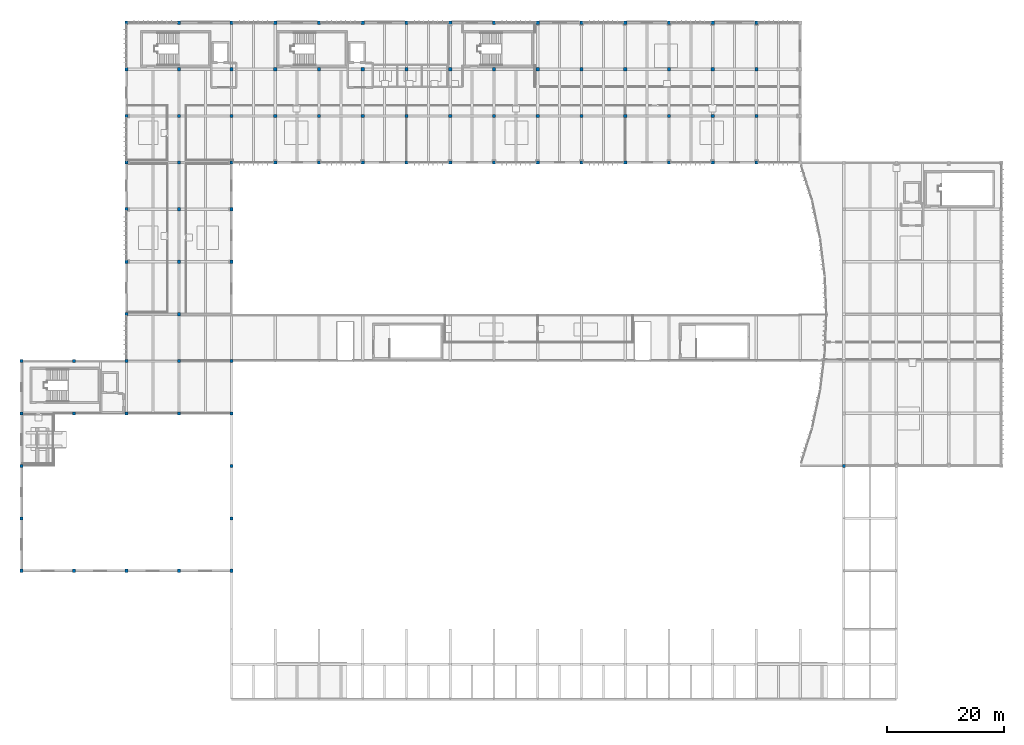
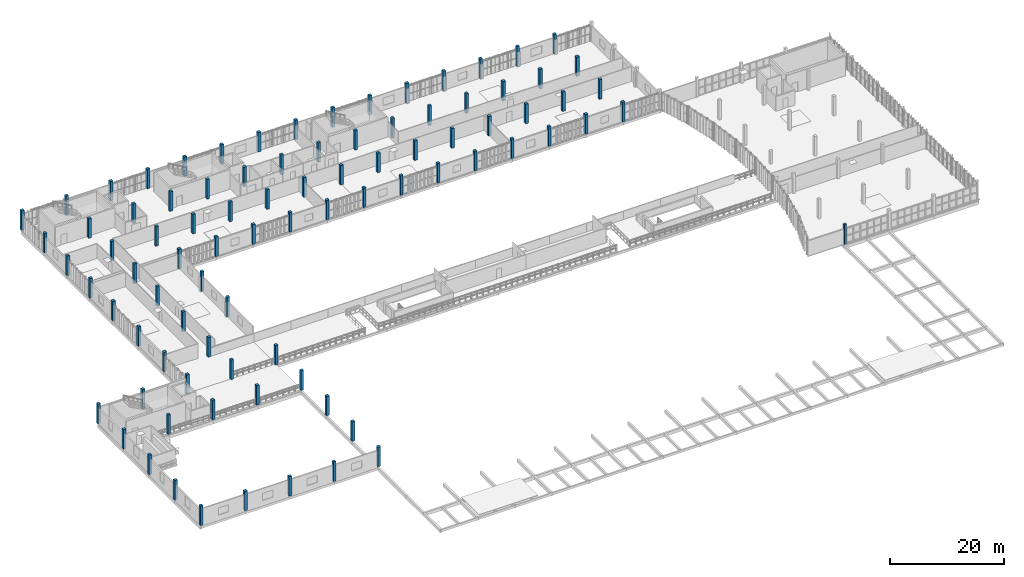
# One storey, part 1 of 61: 88 columns.
"""IFC4 building model written with IfcOpenShell, lengths in metres."""

from ifc_helpers import new_model, si_unit, direction, frame, origin, origin_2d, place, context, subcontext, project, spatial, rectangle, extrude, material, material_profile, profile_set, type_object, element, save


model = new_model("IFC4")

# Units and contexts
model_context = context("Model", 3, precision=1e-05, world=origin(), true_north=direction((0.0, 1.0)))
body_context = subcontext(model_context, "Body", "Model", "MODEL_VIEW")
ifc_project = project(units=[si_unit("LENGTHUNIT", "METRE"), si_unit("AREAUNIT", "SQUARE_METRE"), si_unit("VOLUMEUNIT", "CUBIC_METRE"), si_unit("PLANEANGLEUNIT", "RADIAN"), si_unit("MASSUNIT", "GRAM", prefix="KILO")], contexts=[model_context])

# Site, building, storey
site_placement = place(None, origin())
site = spatial("IfcSite", under=ifc_project, at=site_placement, CompositionType="ELEMENT")
building_placement = place(site_placement, origin())
building = spatial("IfcBuilding", under=site, at=building_placement, Name="Vourika Railside Aquatics Centre", CompositionType="ELEMENT")
storey_placement = place(building_placement, frame((0.0, 0.0, 9.300048828125)))
storey = spatial("IfcBuildingStorey", under=building, at=storey_placement, Name="L02", CompositionType="ELEMENT", Elevation=9.300048828125)

# Columns
ifc_material = material(Name="Concrete C35/45", Category="concrete")
ifc_material_profile_1 = material_profile(ifc_material, rectangle(XDim=0.5, YDim=0.5, at=origin_2d()), Name="RC 500x500")
ifc_profile_set_1 = profile_set([ifc_material_profile_1], Name="Concrete C35/45")
column_type_1 = type_object("IfcColumnType", Name="COL-RC500", PredefinedType="COLUMN", material=ifc_profile_set_1)
column_placement = place(storey_placement, frame((141.0, 40.0, 0.0), z_axis=(0.0, 0.0, 1.0), x_axis=(1.0, 0.0, 0.0)))
element("IfcColumn", 1, at=column_placement, inside=storey, type_object=column_type_1, Name="Column col:L02:1410_400", PredefinedType="COLUMN", context=body_context, shape_type="SweptSolid", body=[
    extrude(rectangle(XDim=0.5, YDim=0.5, at=origin_2d()), origin(), (0.0, 0.0, 1.0), 4.199951171875),
])
ifc_material_profile_2 = material_profile(ifc_material, rectangle(XDim=0.550048828125, YDim=0.550048828125, at=origin_2d()), Name="RC 550x550")
ifc_profile_set_2 = profile_set([ifc_material_profile_2], Name="Concrete C35/45")
column_type_2 = type_object("IfcColumnType", Name="COL-RC550", PredefinedType="COLUMN", material=ifc_profile_set_2)
for number, where, z_axis, x_axis, name in (
    (2, (0.0, 22.0, 0.0), (0.0, 0.0, 1.0), (1.0, 0.0, 0.0), "Column col:L02:0_220"),
    (3, (0.0, 31.0, 0.0), (0.0, 0.0, 1.0), (1.0, 0.0, 0.0), "Column col:L02:0_310"),
    (4, (0.0, 40.0, 0.0), (0.0, 0.0, 1.0), (1.0, 0.0, 0.0), "Column col:L02:0_400"),
    (5, (0.0, 49.0, 0.0), (0.0, 0.0, 1.0), (1.0, 0.0, 0.0), "Column col:L02:0_490"),
    (6, (0.0, 58.0, 0.0), (0.0, 0.0, 1.0), (1.0, 0.0, 0.0), "Column col:L02:0_580"),
    (7, (9.0, 22.0, 0.0), (0.0, 0.0, 1.0), (1.0, 0.0, 0.0), "Column col:L02:90_220"),
    (8, (9.0, 49.0, 0.0), (0.0, 0.0, 1.0), (1.0, 0.0, 0.0), "Column col:L02:90_490"),
    (9, (9.0, 58.0, 0.0), (0.0, 0.0, 1.0), (1.0, 0.0, 0.0), "Column col:L02:90_580"),
    (10, (18.0, 22.0, 0.0), (0.0, 0.0, 1.0), (1.0, 0.0, 0.0), "Column col:L02:180_220"),
    (11, (18.0, 49.0, 0.0), (0.0, 0.0, 1.0), (1.0, 0.0, 0.0), "Column col:L02:180_490"),
    (12, (18.0, 58.0, 0.0), (0.0, 0.0, 1.0), (1.0, 0.0, 0.0), "Column col:L02:180_580"),
    (13, (18.0, 66.0, 0.0), (0.0, 0.0, 1.0), (1.0, 0.0, 0.0), "Column col:L02:180_660"),
    (14, (18.0, 75.0, 0.0), (0.0, 0.0, 1.0), (1.0, 0.0, 0.0), "Column col:L02:180_750"),
    (15, (18.0, 84.0, 0.0), (0.0, 0.0, 1.0), (1.0, 0.0, 0.0), "Column col:L02:180_840"),
    (16, (18.0, 92.0, 0.0), (0.0, 0.0, 1.0), (1.0, 0.0, 0.0), "Column col:L02:180_920"),
    (17, (18.0, 100.0, 0.0), (0.0, 0.0, 1.0), (1.0, 0.0, 0.0), "Column col:L02:180_1000"),
    (18, (18.0, 108.0, 0.0), (0.0, 0.0, 1.0), (1.0, 0.0, 0.0), "Column col:L02:180_1080"),
    (19, (18.0, 116.0, 0.0), (0.0, 0.0, 1.0), (1.0, 0.0, 0.0), "Column col:L02:180_1160"),
    (20, (27.0, 22.0, 0.0), (0.0, 0.0, 1.0), (1.0, 0.0, 0.0), "Column col:L02:270_220"),
    (21, (27.0, 49.0, 0.0), (0.0, 0.0, 1.0), (1.0, 0.0, 0.0), "Column col:L02:270_490"),
    (22, (27.0, 58.0, 0.0), (0.0, 0.0, 1.0), (1.0, 0.0, 0.0), "Column col:L02:270_580"),
    (23, (27.0, 66.0, 0.0), (0.0, 0.0, 1.0), (1.0, 0.0, 0.0), "Column col:L02:270_660"),
    (24, (27.0, 75.0, 0.0), (0.0, 0.0, 1.0), (1.0, 0.0, 0.0), "Column col:L02:270_750"),
    (25, (27.0, 84.0, 0.0), (0.0, 0.0, 1.0), (1.0, 0.0, 0.0), "Column col:L02:270_840"),
    (26, (27.0, 92.0, 0.0), (0.0, 0.0, 1.0), (1.0, 0.0, 0.0), "Column col:L02:270_920"),
    (27, (27.0, 100.0, 0.0), (0.0, 0.0, 1.0), (1.0, 0.0, 0.0), "Column col:L02:270_1000"),
    (28, (27.0, 108.0, 0.0), (0.0, 0.0, 1.0), (1.0, 0.0, 0.0), "Column col:L02:270_1080"),
    (29, (27.0, 116.0, 0.0), (0.0, 0.0, 1.0), (1.0, 0.0, 0.0), "Column col:L02:270_1160"),
    (30, (36.0, 22.0, 0.0), (0.0, 0.0, 1.0), (1.0, 0.0, 0.0), "Column col:L02:360_220"),
    (31, (36.0, 31.0, 0.0), (0.0, 0.0, 1.0), (1.0, 0.0, 0.0), "Column col:L02:360_310"),
    (32, (36.0, 40.0, 0.0), (0.0, 0.0, 1.0), (1.0, 0.0, 0.0), "Column col:L02:360_400"),
    (33, (36.0, 49.0, 0.0), (0.0, 0.0, 1.0), (1.0, 0.0, 0.0), "Column col:L02:360_490"),
    (34, (36.0, 58.0, 0.0), (0.0, 0.0, 1.0), (1.0, 0.0, 0.0), "Column col:L02:360_580"),
    (35, (36.0, 75.0, 0.0), (0.0, 0.0, 1.0), (1.0, 0.0, 0.0), "Column col:L02:360_750"),
    (36, (36.0, 84.0, 0.0), (0.0, 0.0, 1.0), (1.0, 0.0, 0.0), "Column col:L02:360_840"),
    (37, (36.0, 92.0, 0.0), (0.0, 0.0, 1.0), (1.0, 0.0, 0.0), "Column col:L02:360_920"),
    (38, (36.0, 100.0, 0.0), (0.0, 0.0, 1.0), (1.0, 0.0, 0.0), "Column col:L02:360_1000"),
    (39, (36.0, 108.0, 0.0), (0.0, 0.0, 1.0), (1.0, 0.0, 0.0), "Column col:L02:360_1080"),
    (40, (36.0, 116.0, 0.0), (0.0, 0.0, 1.0), (1.0, 0.0, 0.0), "Column col:L02:360_1160"),
    (41, (43.5, 92.0, 0.0), (0.0, 0.0, 1.0), (1.0, 0.0, 0.0), "Column col:L02:435_920"),
    (42, (43.5, 100.0, 0.0), (0.0, 0.0, 1.0), (1.0, 0.0, 0.0), "Column col:L02:435_1000"),
    (43, (43.5, 108.0, 0.0), (0.0, 0.0, 1.0), (1.0, 0.0, 0.0), "Column col:L02:435_1080"),
    (44, (43.5, 116.0, 0.0), (0.0, 0.0, 1.0), (1.0, 0.0, 0.0), "Column col:L02:435_1160"),
    (45, (51.0, 92.0, 0.0), (0.0, 0.0, 1.0), (1.0, 0.0, 0.0), "Column col:L02:510_920"),
    (46, (51.0, 100.0, 0.0), (0.0, 0.0, 1.0), (1.0, 0.0, 0.0), "Column col:L02:510_1000"),
    (47, (51.0, 108.0, 0.0), (0.0, 0.0, 1.0), (1.0, 0.0, 0.0), "Column col:L02:510_1080"),
    (48, (51.0, 116.0, 0.0), (0.0, 0.0, 1.0), (1.0, 0.0, 0.0), "Column col:L02:510_1160"),
    (49, (58.5, 92.0, 0.0), (0.0, 0.0, 1.0), (1.0, 0.0, 0.0), "Column col:L02:585_920"),
    (50, (58.5, 100.0, 0.0), (0.0, 0.0, 1.0), (1.0, 0.0, 0.0), "Column col:L02:585_1000"),
    (51, (58.5, 108.0, 0.0), (0.0, 0.0, 1.0), (1.0, 0.0, 0.0), "Column col:L02:585_1080"),
    (52, (58.5, 116.0, 0.0), (0.0, 0.0, 1.0), (1.0, 0.0, 0.0), "Column col:L02:585_1160"),
    (53, (66.0, 92.0, 0.0), (0.0, 0.0, 1.0), (1.0, 0.0, 0.0), "Column col:L02:660_920"),
    (54, (66.0, 100.0, 0.0), (0.0, 0.0, 1.0), (1.0, 0.0, 0.0), "Column col:L02:660_1000"),
    (55, (66.0, 108.0, 0.0), (0.0, 0.0, 1.0), (1.0, 0.0, 0.0), "Column col:L02:660_1080"),
    (56, (66.0, 116.0, 0.0), (0.0, 0.0, 1.0), (1.0, 0.0, 0.0), "Column col:L02:660_1160"),
    (57, (73.5, 92.0, 0.0), (0.0, 0.0, 1.0), (1.0, 0.0, 0.0), "Column col:L02:735_920"),
    (58, (73.5, 100.0, 0.0), (0.0, 0.0, 1.0), (1.0, 0.0, 0.0), "Column col:L02:735_1000"),
    (59, (73.5, 108.0, 0.0), (0.0, 0.0, 1.0), (1.0, 0.0, 0.0), "Column col:L02:735_1080"),
    (60, (73.5, 116.0, 0.0), (0.0, 0.0, 1.0), (1.0, 0.0, 0.0), "Column col:L02:735_1160"),
    (61, (81.0, 92.0, 0.0), (0.0, 0.0, 1.0), (1.0, 0.0, 0.0), "Column col:L02:810_920"),
    (62, (81.0, 100.0, 0.0), (0.0, 0.0, 1.0), (1.0, 0.0, 0.0), "Column col:L02:810_1000"),
    (63, (81.0, 108.0, 0.0), (0.0, 0.0, 1.0), (1.0, 0.0, 0.0), "Column col:L02:810_1080"),
    (64, (81.0, 116.0, 0.0), (0.0, 0.0, 1.0), (1.0, 0.0, 0.0), "Column col:L02:810_1160"),
    (65, (88.5, 92.0, 0.0), (0.0, 0.0, 1.0), (1.0, 0.0, 0.0), "Column col:L02:885_920"),
    (66, (88.5, 100.0, 0.0), (0.0, 0.0, 1.0), (1.0, 0.0, 0.0), "Column col:L02:885_1000"),
    (67, (88.5, 108.0, 0.0), (0.0, 0.0, 1.0), (1.0, 0.0, 0.0), "Column col:L02:885_1080"),
    (68, (88.5, 116.0, 0.0), (0.0, 0.0, 1.0), (1.0, 0.0, 0.0), "Column col:L02:885_1160"),
    (69, (96.0, 92.0, 0.0), (0.0, 0.0, 1.0), (1.0, 0.0, 0.0), "Column col:L02:960_920"),
    (70, (96.0, 100.0, 0.0), (0.0, 0.0, 1.0), (1.0, 0.0, 0.0), "Column col:L02:960_1000"),
    (71, (96.0, 108.0, 0.0), (0.0, 0.0, 1.0), (1.0, 0.0, 0.0), "Column col:L02:960_1080"),
    (72, (96.0, 116.0, 0.0), (0.0, 0.0, 1.0), (1.0, 0.0, 0.0), "Column col:L02:960_1160"),
    (73, (103.5, 92.0, 0.0), (0.0, 0.0, 1.0), (1.0, 0.0, 0.0), "Column col:L02:1035_920"),
    (74, (103.5, 100.0, 0.0), (0.0, 0.0, 1.0), (1.0, 0.0, 0.0), "Column col:L02:1035_1000"),
    (75, (103.5, 108.0, 0.0), (0.0, 0.0, 1.0), (1.0, 0.0, 0.0), "Column col:L02:1035_1080"),
    (76, (103.5, 116.0, 0.0), (0.0, 0.0, 1.0), (1.0, 0.0, 0.0), "Column col:L02:1035_1160"),
    (77, (111.0, 92.0, 0.0), (0.0, 0.0, 1.0), (1.0, 0.0, 0.0), "Column col:L02:1110_920"),
    (78, (111.0, 100.0, 0.0), (0.0, 0.0, 1.0), (1.0, 0.0, 0.0), "Column col:L02:1110_1000"),
    (79, (111.0, 108.0, 0.0), (0.0, 0.0, 1.0), (1.0, 0.0, 0.0), "Column col:L02:1110_1080"),
    (80, (111.0, 116.0, 0.0), (0.0, 0.0, 1.0), (1.0, 0.0, 0.0), "Column col:L02:1110_1160"),
    (81, (118.5, 92.0, 0.0), (0.0, 0.0, 1.0), (1.0, 0.0, 0.0), "Column col:L02:1185_920"),
    (82, (118.5, 100.0, 0.0), (0.0, 0.0, 1.0), (1.0, 0.0, 0.0), "Column col:L02:1185_1000"),
    (83, (118.5, 108.0, 0.0), (0.0, 0.0, 1.0), (1.0, 0.0, 0.0), "Column col:L02:1185_1080"),
    (84, (118.5, 116.0, 0.0), (0.0, 0.0, 1.0), (1.0, 0.0, 0.0), "Column col:L02:1185_1160"),
    (85, (126.0, 92.0, 0.0), (0.0, 0.0, 1.0), (1.0, 0.0, 0.0), "Column col:L02:1260_920"),
    (86, (126.0, 100.0, 0.0), (0.0, 0.0, 1.0), (1.0, 0.0, 0.0), "Column col:L02:1260_1000"),
    (87, (126.0, 108.0, 0.0), (0.0, 0.0, 1.0), (1.0, 0.0, 0.0), "Column col:L02:1260_1080"),
    (88, (126.0, 116.0, 0.0), (0.0, 0.0, 1.0), (1.0, 0.0, 0.0), "Column col:L02:1260_1160"),
):
    element("IfcColumn", number, at=place(storey_placement, frame(where, z_axis=z_axis, x_axis=x_axis)), inside=storey, type_object=column_type_2, Name=name, PredefinedType="COLUMN", context=body_context, shape_type="SweptSolid", body=[
        extrude(rectangle(XDim=0.550048828125, YDim=0.550048828125, at=origin_2d()), origin(), (0.0, 0.0, 1.0), 4.199951171875),
    ])

save(model, "model.ifc")
